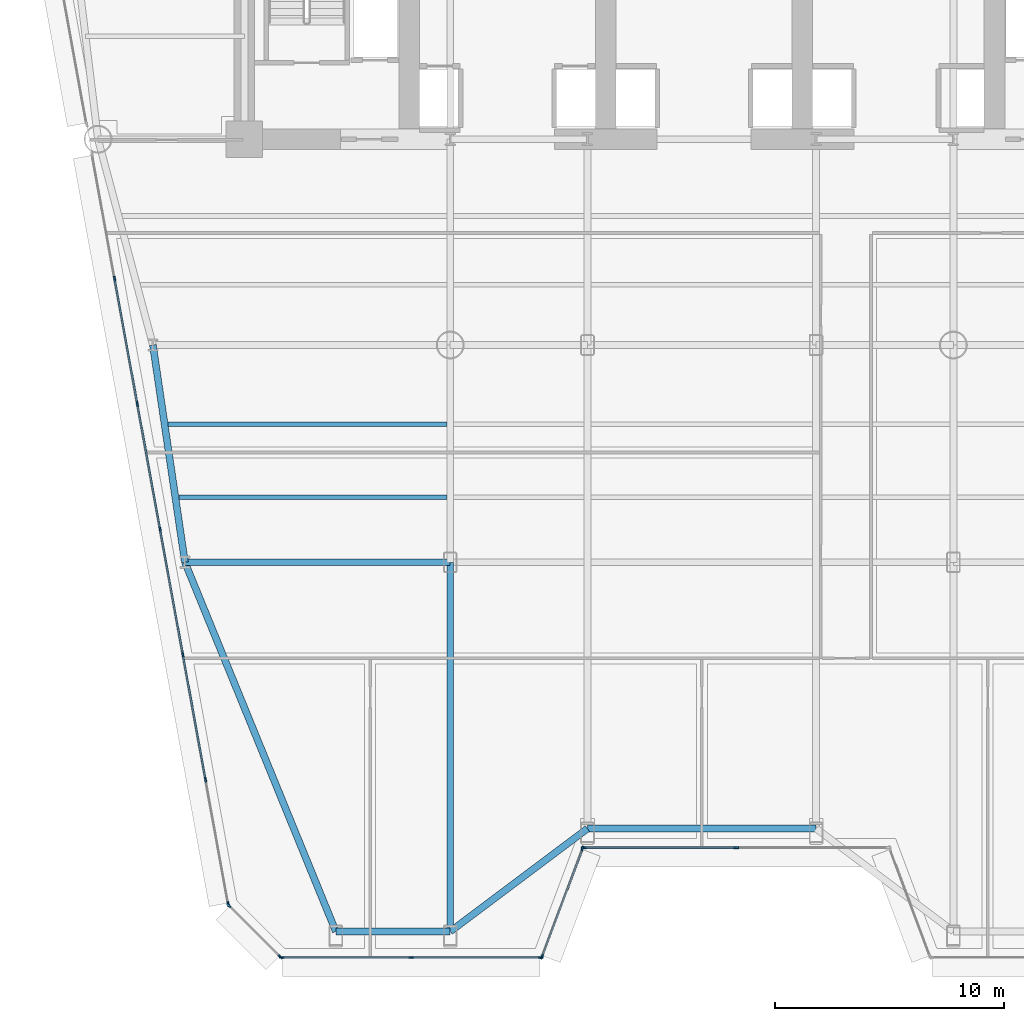
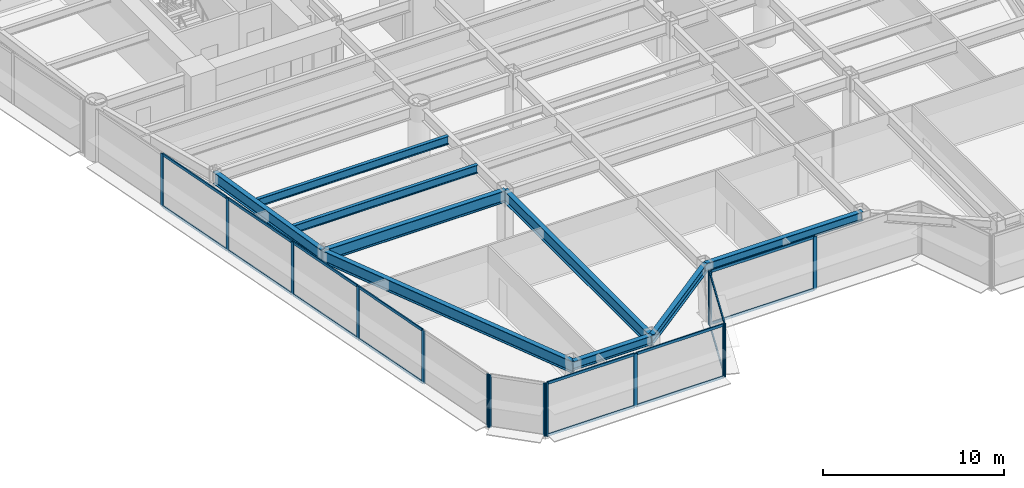
# One storey, part 2 of 14: 31 members, 9 beams, 5 elements without a shape of their own.
"""IFC4 building model written with IfcOpenShell, lengths in metres."""

from ifc_helpers import new_model, si_unit, direction, frame, origin, origin_2d, place, context, subcontext, project, spatial, rectangle, i_section, extrude, source, transform, mapped, material, layer, layer_set, material_profile, profile_set, type_object, element, aggregate, save


model = new_model("IFC4")

# Units and contexts
model_context = context("Model", 3, precision=1e-05, world=origin(), true_north=direction((0.0, 1.0)))
body_context = subcontext(model_context, "Body", "Model", "MODEL_VIEW")
ifc_project = project(units=[si_unit("LENGTHUNIT", "METRE"), si_unit("AREAUNIT", "SQUARE_METRE"), si_unit("VOLUMEUNIT", "CUBIC_METRE"), si_unit("PLANEANGLEUNIT", "RADIAN"), si_unit("MASSUNIT", "GRAM", prefix="KILO")], contexts=[model_context])

# Site, building, storey
site_placement = place(None, origin())
site = spatial("IfcSite", under=ifc_project, at=site_placement, CompositionType="ELEMENT")
building_placement = place(site_placement, origin())
building = spatial("IfcBuilding", under=site, at=building_placement, Name="Vaeldorn Concourse Tower", CompositionType="ELEMENT")
storey_placement = place(building_placement, frame((0.0, 0.0, 30.199951171875)))
storey = spatial("IfcBuildingStorey", under=building, at=storey_placement, Name="L07", CompositionType="ELEMENT", Elevation=30.199951171875)

# Beams
ifc_material_1 = material(Name="Steel S355", Category="steel")
ifc_material_profile_1 = material_profile(ifc_material_1, i_section(OverallWidth=0.300048828125, OverallDepth=0.60009765625, WebThickness=0.015380859375, FlangeThickness=0.030029296875, FilletRadius=0.027099609375, at=origin_2d()), Name="HEB 600")
ifc_profile_set_1 = profile_set([ifc_material_profile_1], Name="Steel S355")
beam_type_1 = type_object("IfcBeamType", Name="BM-SP-HEB600", PredefinedType="SPANDREL", material=ifc_profile_set_1)
shared_shape_1 = source(origin(), body_context, "Body", "SweptSolid", [
    extrude(i_section(OverallWidth=0.300048828125, OverallDepth=0.60009765625, WebThickness=0.015380859375, FlangeThickness=0.030029296875, FilletRadius=0.027099609375, at=origin_2d()), origin(), (0.0, 0.0, 1.0), 5.0),
])
beam_1_placement = place(storey_placement, frame((18.0, 1.856201171875, 3.280029296875), z_axis=(1.0, 0.0, 0.0), x_axis=(0.0, 1.0, 0.0)))
element("IfcBeam", 1, at=beam_1_placement, inside=storey, type_object=beam_type_1, Name="Beam BM-L07-C-SF1-C-SF2", PredefinedType="SPANDREL", context=body_context, shape_type="MappedRepresentation", body=[
    mapped(shared_shape_1, transform((0.0, 0.0, 0.0), scale=1.0)),
])
shared_shape_2 = source(origin(), body_context, "Body", "SweptSolid", [
    extrude(i_section(OverallWidth=0.300048828125, OverallDepth=0.60009765625, WebThickness=0.015380859375, FlangeThickness=0.030029296875, FilletRadius=0.027099609375, at=origin_2d()), origin(), (0.0, 0.0, 1.0), 7.5),
])
beam_2_placement = place(storey_placement, frame((23.0, 1.856201171875, 3.280029296875), z_axis=(0.8, 0.6, 0.0), x_axis=(-0.6, 0.8, 0.0)))
element("IfcBeam", 2, at=beam_2_placement, inside=storey, type_object=beam_type_1, Name="Beam BM-L07-C-SF2-C-SF3", PredefinedType="SPANDREL", context=body_context, shape_type="MappedRepresentation", body=[
    mapped(shared_shape_2, transform((0.0, 0.0, 0.0), scale=1.0)),
])
shared_shape_3 = source(origin(), body_context, "Body", "SweptSolid", [
    extrude(i_section(OverallWidth=0.300048828125, OverallDepth=0.60009765625, WebThickness=0.015380859375, FlangeThickness=0.030029296875, FilletRadius=0.027099609375, at=origin_2d()), origin(), (0.0, 0.0, 1.0), 10.0),
])
beam_3_placement = place(storey_placement, frame((29.0, 6.356201171875, 3.280029296875), z_axis=(1.0, 0.0, 0.0), x_axis=(0.0, 1.0, 0.0)))
element("IfcBeam", 3, at=beam_3_placement, inside=storey, type_object=beam_type_1, Name="Beam BM-L07-C-SF3-C-SF4", PredefinedType="SPANDREL", context=body_context, shape_type="MappedRepresentation", body=[
    mapped(shared_shape_3, transform((0.0, 0.0, 0.0), scale=1.0)),
])
ifc_material_profile_2 = material_profile(ifc_material_1, i_section(OverallWidth=0.300048828125, OverallDepth=0.800048828125, WebThickness=0.017578125, FlangeThickness=0.032958984375, FilletRadius=0.030029296875, at=origin_2d()), Name="HEB 800")
ifc_profile_set_2 = profile_set([ifc_material_profile_2], Name="Steel S355")
beam_type_2 = type_object("IfcBeamType", Name="BM-PG-HEB800", PredefinedType="BEAM", material=ifc_profile_set_2)
shared_shape_4 = source(origin(), body_context, "Body", "SweptSolid", [
    extrude(i_section(OverallWidth=0.300048828125, OverallDepth=0.800048828125, WebThickness=0.017578125, FlangeThickness=0.032958984375, FilletRadius=0.030029296875, at=origin_2d()), origin(), (0.0, 0.0, 1.0), 9.6025390625),
])
beam_4_placement = place(storey_placement, frame((10.0, 27.5, 3.179931640625), z_axis=(0.145783835977, -0.989316467652, 0.0), x_axis=(0.989316467652, 0.145783835977, 0.0)))
element("IfcBeam", 4, at=beam_4_placement, inside=storey, type_object=beam_type_2, Name="Beam BM-L07-C-FLW1-C-FLW2", PredefinedType="BEAM", context=body_context, shape_type="MappedRepresentation", body=[
    mapped(shared_shape_4, transform((0.0, 0.0, 0.0), scale=1.0)),
])
shared_shape_5 = source(origin(), body_context, "Body", "SweptSolid", [
    extrude(i_section(OverallWidth=0.300048828125, OverallDepth=0.800048828125, WebThickness=0.017578125, FlangeThickness=0.032958984375, FilletRadius=0.030029296875, at=origin_2d()), origin(), (0.0, 0.0, 1.0), 11.60009765625),
])
beam_5_placement = place(storey_placement, frame((11.39990234375, 18.0, 3.179931640625), z_axis=(1.0, 0.0, 0.0), x_axis=(0.0, 1.0, 0.0)))
element("IfcBeam", 5, at=beam_5_placement, inside=storey, type_object=beam_type_2, Name="Beam BM-L07-C-FLW2-C-TW5", PredefinedType="BEAM", context=body_context, shape_type="MappedRepresentation", body=[
    mapped(shared_shape_5, transform((0.0, 0.0, 0.0), scale=1.0)),
])
shared_shape_6 = source(origin(), body_context, "Body", "SweptSolid", [
    extrude(i_section(OverallWidth=0.300048828125, OverallDepth=0.800048828125, WebThickness=0.017578125, FlangeThickness=0.032958984375, FilletRadius=0.030029296875, at=origin_2d()), origin(), (0.0, 0.0, 1.0), 17.44091796875),
])
beam_6_placement = place(storey_placement, frame((18.0, 1.856201171875, 3.179931640625), z_axis=(-0.378427347763, 0.925630996923, 0.0), x_axis=(-0.925630996923, -0.378427347763, 0.0)))
element("IfcBeam", 6, at=beam_6_placement, inside=storey, type_object=beam_type_2, Name="Beam BM-L07-C-SF1-C-FLW2", PredefinedType="BEAM", context=body_context, shape_type="MappedRepresentation", body=[
    mapped(shared_shape_6, transform((0.0, 0.0, 0.0), scale=1.0)),
])
shared_shape_7 = source(origin(), body_context, "Body", "SweptSolid", [
    extrude(i_section(OverallWidth=0.300048828125, OverallDepth=0.800048828125, WebThickness=0.017578125, FlangeThickness=0.032958984375, FilletRadius=0.030029296875, at=origin_2d()), origin(), (0.0, 0.0, 1.0), 16.143798828125),
])
beam_7_placement = place(storey_placement, frame((23.0, 1.856201171875, 3.179931640625), z_axis=(0.0, 1.0, 0.0), x_axis=(-1.0, 0.0, 0.0)))
element("IfcBeam", 7, at=beam_7_placement, inside=storey, type_object=beam_type_2, Name="Beam BM-L07-C-SF2-C-TW5", PredefinedType="BEAM", context=body_context, shape_type="MappedRepresentation", body=[
    mapped(shared_shape_7, transform((0.0, 0.0, 0.0), scale=1.0)),
])
ifc_material_profile_3 = material_profile(ifc_material_1, i_section(OverallWidth=0.2099609375, OverallDepth=0.550048828125, WebThickness=0.010986328125, FlangeThickness=0.01708984375, FilletRadius=0.02392578125, at=origin_2d()), Name="IPE 550")
ifc_profile_set_3 = profile_set([ifc_material_profile_3], Name="Steel S355")
beam_type_3 = type_object("IfcBeamType", Name="BM-JS-IPE550", PredefinedType="JOIST", material=ifc_profile_set_3)
shared_shape_8 = source(origin(), body_context, "Body", "SweptSolid", [
    extrude(i_section(OverallWidth=0.2099609375, OverallDepth=0.550048828125, WebThickness=0.010986328125, FlangeThickness=0.01708984375, FilletRadius=0.02392578125, at=origin_2d()), origin(), (0.0, 0.0, 1.0), 11.718505859375),
])
beam_8_placement = place(storey_placement, frame((11.131591796875, 20.840087890625, 3.304931640625), z_axis=(1.0, 0.0, 0.0), x_axis=(0.0, 1.0, 0.0)))
element("IfcBeam", 8, at=beam_8_placement, inside=storey, type_object=beam_type_3, Name="Beam JS-L07-W1-208", PredefinedType="JOIST", context=body_context, shape_type="MappedRepresentation", body=[
    mapped(shared_shape_8, transform((0.0, 0.0, 0.0), scale=1.0)),
])
shared_shape_9 = source(origin(), body_context, "Body", "SweptSolid", [
    extrude(i_section(OverallWidth=0.2099609375, OverallDepth=0.550048828125, WebThickness=0.010986328125, FlangeThickness=0.01708984375, FilletRadius=0.02392578125, at=origin_2d()), origin(), (0.0, 0.0, 1.0), 12.190185546875),
])
beam_9_placement = place(storey_placement, frame((10.659912109375, 24.0400390625, 3.304931640625), z_axis=(1.0, 0.0, 0.0), x_axis=(0.0, 1.0, 0.0)))
element("IfcBeam", 9, at=beam_9_placement, inside=storey, type_object=beam_type_3, Name="Beam JS-L07-W1-240", PredefinedType="JOIST", context=body_context, shape_type="MappedRepresentation", body=[
    mapped(shared_shape_9, transform((0.0, 0.0, 0.0), scale=1.0)),
])

# Curtain wall, members
ifc_material_2 = material(Name="Anodised Bronze Aluminium", Category="aluminium")
ifc_layer = layer(ifc_material_2, 0.219970703125)
ifc_layer_set = layer_set([ifc_layer], Name="Anodised Bronze Aluminium")
curtain_wall_type = type_object("IfcCurtainWallType", Name="CW-SYS-01", PredefinedType="NOTDEFINED", material=ifc_layer_set)
curtain_wall_1_placement = place(storey_placement, origin())
curtain_wall_1 = element("IfcCurtainWall", 10, at=curtain_wall_1_placement, inside=storey, type_object=curtain_wall_type, Name="Unitised Curtain Wall CW-L07-E03-1", PredefinedType="NOTDEFINED")
ifc_material_profile_4 = material_profile(ifc_material_2, rectangle(XDim=0.074951171875, YDim=0.179931640625, at=origin_2d()), Name="CWT 75x180")
ifc_profile_set_4 = profile_set([ifc_material_profile_4], Name="Anodised Bronze Aluminium")
member_type_1 = type_object("IfcMemberType", Name="CWT-BRONZE-180", PredefinedType="USERDEFINED", material=ifc_profile_set_4)
shared_shape_10 = source(origin(), body_context, "Body", "SweptSolid", [
    extrude(rectangle(XDim=0.074951171875, YDim=0.179931640625, at=origin_2d()), origin(), (0.0, 0.0, 1.0), 6.58740234375),
])
member_1_placement = place(storey_placement, frame((28.875, 5.51708984375, 0.03759765625), z_axis=(1.0, 0.0, 0.0), x_axis=(0.0, 1.0, 0.0)))
member_1 = element("IfcMember", 11, at=member_1_placement, type_object=member_type_1, Name="CW-01 transom 1.1", ObjectType="TRANSOM", PredefinedType="USERDEFINED", context=body_context, shape_type="MappedRepresentation", body=[
    mapped(shared_shape_10, transform((0.0, 0.0, 0.0), scale=1.0)),
])
member_2_placement = place(storey_placement, frame((28.875, 5.51708984375, 3.54248046875), z_axis=(1.0, 0.0, 0.0), x_axis=(0.0, 1.0, 0.0)))
member_2 = element("IfcMember", 12, at=member_2_placement, type_object=member_type_1, Name="CW-01 transom 1.2", ObjectType="TRANSOM", PredefinedType="USERDEFINED", context=body_context, shape_type="MappedRepresentation", body=[
    mapped(shared_shape_10, transform((0.0, 0.0, 0.0), scale=1.0)),
])

curtain_wall_2_placement = place(storey_placement, origin())
curtain_wall_2 = element("IfcCurtainWall", 13, at=curtain_wall_2_placement, inside=storey, type_object=curtain_wall_type, Name="Unitised Curtain Wall CW-L07-E02-1", PredefinedType="NOTDEFINED")
shared_shape_11 = source(origin(), body_context, "Body", "SweptSolid", [
    extrude(rectangle(XDim=0.074951171875, YDim=0.179931640625, at=origin_2d()), origin(), (0.0, 0.0, 1.0), 4.9765625),
])
member_3_placement = place(storey_placement, frame((27.0263671875, 0.787353515625, 0.03759765625), z_axis=(0.351112688987, 0.936333209724, 0.0), x_axis=(-0.936333209724, 0.351112688987, 0.0)))
member_3 = element("IfcMember", 14, at=member_3_placement, type_object=member_type_1, Name="CW-01 transom 1.1", ObjectType="TRANSOM", PredefinedType="USERDEFINED", context=body_context, shape_type="MappedRepresentation", body=[
    mapped(shared_shape_11, transform((0.0, 0.0, 0.0), scale=1.0)),
])
member_4_placement = place(storey_placement, frame((27.0263671875, 0.787353515625, 3.54248046875), z_axis=(0.351112688987, 0.936333209724, 0.0), x_axis=(-0.936333209724, 0.351112688987, 0.0)))
member_4 = element("IfcMember", 15, at=member_4_placement, type_object=member_type_1, Name="CW-01 transom 1.2", ObjectType="TRANSOM", PredefinedType="USERDEFINED", context=body_context, shape_type="MappedRepresentation", body=[
    mapped(shared_shape_11, transform((0.0, 0.0, 0.0), scale=1.0)),
])

curtain_wall_3_placement = place(storey_placement, origin())
curtain_wall_3 = element("IfcCurtainWall", 16, at=curtain_wall_3_placement, inside=storey, type_object=curtain_wall_type, Name="Unitised Curtain Wall CW-L07-E01-1", PredefinedType="NOTDEFINED")
ifc_material_profile_5 = material_profile(ifc_material_2, rectangle(XDim=0.074951171875, YDim=0.219970703125, at=origin_2d()), Name="CWM 75x220")
ifc_profile_set_5 = profile_set([ifc_material_profile_5], Name="Anodised Bronze Aluminium")
member_type_2 = type_object("IfcMemberType", Name="CWM-BRONZE-220", PredefinedType="MULLION", material=ifc_profile_set_5)
shared_shape_12 = source(origin(), body_context, "Body", "SweptSolid", [
    extrude(rectangle(XDim=0.074951171875, YDim=0.219970703125, at=origin_2d()), origin(), (0.0, 0.0, 1.0), 3.580078125),
])
member_5_placement = place(storey_placement, frame((15.63427734375, 0.71728515625, 0.0), z_axis=(0.0, 0.0, 1.0), x_axis=(0.0, 1.0, 0.0)))
member_5 = element("IfcMember", 17, at=member_5_placement, type_object=member_type_2, Name="CW-01 mullion 1", PredefinedType="MULLION", context=body_context, shape_type="MappedRepresentation", body=[
    mapped(shared_shape_12, transform((0.0, 0.0, 0.0), scale=1.0)),
])
member_6_placement = place(storey_placement, frame((21.29833984375, 0.71728515625, 0.0), z_axis=(0.0, 0.0, 1.0), x_axis=(0.0, 1.0, 0.0)))
member_6 = element("IfcMember", 18, at=member_6_placement, type_object=member_type_2, Name="CW-01 mullion 2", PredefinedType="MULLION", context=body_context, shape_type="MappedRepresentation", body=[
    mapped(shared_shape_12, transform((0.0, 0.0, 0.0), scale=1.0)),
])
member_7_placement = place(storey_placement, frame((26.96240234375, 0.71728515625, 0.0), z_axis=(0.0, 0.0, 1.0), x_axis=(0.0, 1.0, 0.0)))
member_7 = element("IfcMember", 19, at=member_7_placement, type_object=member_type_2, Name="CW-01 mullion 3", PredefinedType="MULLION", context=body_context, shape_type="MappedRepresentation", body=[
    mapped(shared_shape_12, transform((0.0, 0.0, 0.0), scale=1.0)),
])

# Member
member_8_placement = place(storey_placement, frame((27.01318359375, 0.752197265625, 0.0), z_axis=(0.0, 0.0, 1.0), x_axis=(-0.936329177566, 0.351123441595, 0.0)))
member_8 = element("IfcMember", 20, at=member_8_placement, type_object=member_type_2, Name="CW-01 mullion 1", PredefinedType="MULLION", context=body_context, shape_type="MappedRepresentation", body=[
    mapped(shared_shape_12, transform((0.0, 0.0, 0.0), scale=1.0)),
])

member_9_placement = place(storey_placement, frame((28.786865234375, 5.482177734375, 0.0), z_axis=(0.0, 0.0, 1.0), x_axis=(-0.936329177566, 0.351123441595, 0.0)))
member_9 = element("IfcMember", 21, at=member_9_placement, type_object=member_type_2, Name="CW-01 mullion 2", PredefinedType="MULLION", context=body_context, shape_type="MappedRepresentation", body=[
    mapped(shared_shape_12, transform((0.0, 0.0, 0.0), scale=1.0)),
])

aggregate(curtain_wall_2, [member_8, member_9, member_3, member_4])

member_10_placement = place(storey_placement, frame((28.83740234375, 5.51708984375, 0.0), z_axis=(0.0, 0.0, 1.0), x_axis=(0.0, 1.0, 0.0)))
member_10 = element("IfcMember", 22, at=member_10_placement, type_object=member_type_2, Name="CW-01 mullion 1", PredefinedType="MULLION", context=body_context, shape_type="MappedRepresentation", body=[
    mapped(shared_shape_12, transform((0.0, 0.0, 0.0), scale=1.0)),
])

member_11_placement = place(storey_placement, frame((35.5, 5.51708984375, 0.0), z_axis=(0.0, 0.0, 1.0), x_axis=(0.0, 1.0, 0.0)))
member_11 = element("IfcMember", 23, at=member_11_placement, type_object=member_type_2, Name="CW-01 mullion 2", PredefinedType="MULLION", context=body_context, shape_type="MappedRepresentation", body=[
    mapped(shared_shape_12, transform((0.0, 0.0, 0.0), scale=1.0)),
])

aggregate(curtain_wall_1, [member_10, member_11, member_1, member_2])

# Curtain wall, members
curtain_wall_4_placement = place(storey_placement, origin())
curtain_wall_4 = element("IfcCurtainWall", 24, at=curtain_wall_4_placement, inside=storey, type_object=curtain_wall_type, Name="Unitised Curtain Wall CW-L07-E11-2", PredefinedType="NOTDEFINED")
member_12_placement = place(storey_placement, frame((8.322998046875, 30.4033203125, 0.0), z_axis=(0.0, 0.0, 1.0), x_axis=(0.98390490828, 0.178692841107, 0.0)))
member_12 = element("IfcMember", 25, at=member_12_placement, type_object=member_type_2, Name="CW-01 mullion 2", PredefinedType="MULLION", context=body_context, shape_type="MappedRepresentation", body=[
    mapped(shared_shape_12, transform((0.0, 0.0, 0.0), scale=1.0)),
])
member_13_placement = place(storey_placement, frame((9.317626953125, 24.926025390625, 0.0), z_axis=(0.0, 0.0, 1.0), x_axis=(0.98390490828, 0.178692841107, 0.0)))
member_13 = element("IfcMember", 26, at=member_13_placement, type_object=member_type_2, Name="CW-01 mullion 3", PredefinedType="MULLION", context=body_context, shape_type="MappedRepresentation", body=[
    mapped(shared_shape_12, transform((0.0, 0.0, 0.0), scale=1.0)),
])
member_14_placement = place(storey_placement, frame((10.3125, 19.44873046875, 0.0), z_axis=(0.0, 0.0, 1.0), x_axis=(0.98390490828, 0.178692841107, 0.0)))
member_14 = element("IfcMember", 27, at=member_14_placement, type_object=member_type_2, Name="CW-01 mullion 4", PredefinedType="MULLION", context=body_context, shape_type="MappedRepresentation", body=[
    mapped(shared_shape_12, transform((0.0, 0.0, 0.0), scale=1.0)),
])
member_15_placement = place(storey_placement, frame((11.30712890625, 13.9716796875, 0.0), z_axis=(0.0, 0.0, 1.0), x_axis=(0.98390490828, 0.178692841107, 0.0)))
member_15 = element("IfcMember", 28, at=member_15_placement, type_object=member_type_2, Name="CW-01 mullion 5", PredefinedType="MULLION", context=body_context, shape_type="MappedRepresentation", body=[
    mapped(shared_shape_12, transform((0.0, 0.0, 0.0), scale=1.0)),
])
member_16_placement = place(storey_placement, frame((12.302001953125, 8.494384765625, 0.0), z_axis=(0.0, 0.0, 1.0), x_axis=(0.98390490828, 0.178692841107, 0.0)))
member_16 = element("IfcMember", 29, at=member_16_placement, type_object=member_type_2, Name="CW-01 mullion 6", PredefinedType="MULLION", context=body_context, shape_type="MappedRepresentation", body=[
    mapped(shared_shape_12, transform((0.0, 0.0, 0.0), scale=1.0)),
])
member_17_placement = place(storey_placement, frame((13.2900390625, 3.05419921875, 0.0), z_axis=(0.0, 0.0, 1.0), x_axis=(0.98390490828, 0.178692841107, 0.0)))
member_17 = element("IfcMember", 30, at=member_17_placement, type_object=member_type_2, Name="CW-01 mullion 7", PredefinedType="MULLION", context=body_context, shape_type="MappedRepresentation", body=[
    mapped(shared_shape_12, transform((0.0, 0.0, 0.0), scale=1.0)),
])

curtain_wall_5_placement = place(storey_placement, origin())
curtain_wall_5 = element("IfcCurtainWall", 31, at=curtain_wall_5_placement, inside=storey, type_object=curtain_wall_type, Name="Unitised Curtain Wall CW-L07-E12-1", PredefinedType="NOTDEFINED")
member_18_placement = place(storey_placement, frame((13.3232421875, 2.99072265625, 0.0), z_axis=(0.0, 0.0, 1.0), x_axis=(0.707106781187, 0.707106781187, 0.0)))
member_18 = element("IfcMember", 32, at=member_18_placement, type_object=member_type_2, Name="CW-01 mullion 1", PredefinedType="MULLION", context=body_context, shape_type="MappedRepresentation", body=[
    mapped(shared_shape_12, transform((0.0, 0.0, 0.0), scale=1.0)),
])
member_19_placement = place(storey_placement, frame((15.570068359375, 0.74365234375, 0.0), z_axis=(0.0, 0.0, 1.0), x_axis=(0.707106781187, 0.707106781187, 0.0)))
member_19 = element("IfcMember", 33, at=member_19_placement, type_object=member_type_2, Name="CW-01 mullion 2", PredefinedType="MULLION", context=body_context, shape_type="MappedRepresentation", body=[
    mapped(shared_shape_12, transform((0.0, 0.0, 0.0), scale=1.0)),
])
aggregate(curtain_wall_5, [member_18, member_19])

# Member
shared_shape_13 = source(origin(), body_context, "Body", "SweptSolid", [
    extrude(rectangle(XDim=0.074951171875, YDim=0.179931640625, at=origin_2d()), origin(), (0.0, 0.0, 1.0), 5.589111328125),
])
member_20_placement = place(storey_placement, frame((15.671630859375, 0.71728515625, 0.03759765625), z_axis=(1.0, 0.0, 0.0), x_axis=(0.0, 1.0, 0.0)))
member_20 = element("IfcMember", 34, at=member_20_placement, type_object=member_type_1, Name="CW-01 transom 1.1", ObjectType="TRANSOM", PredefinedType="USERDEFINED", context=body_context, shape_type="MappedRepresentation", body=[
    mapped(shared_shape_13, transform((0.0, 0.0, 0.0), scale=1.0)),
])

member_21_placement = place(storey_placement, frame((15.671630859375, 0.71728515625, 3.54248046875), z_axis=(1.0, 0.0, 0.0), x_axis=(0.0, 1.0, 0.0)))
member_21 = element("IfcMember", 35, at=member_21_placement, type_object=member_type_1, Name="CW-01 transom 1.2", ObjectType="TRANSOM", PredefinedType="USERDEFINED", context=body_context, shape_type="MappedRepresentation", body=[
    mapped(shared_shape_13, transform((0.0, 0.0, 0.0), scale=1.0)),
])

member_22_placement = place(storey_placement, frame((21.3359375, 0.71728515625, 0.03759765625), z_axis=(1.0, 0.0, 0.0), x_axis=(0.0, 1.0, 0.0)))
member_22 = element("IfcMember", 36, at=member_22_placement, type_object=member_type_1, Name="CW-01 transom 2.1", ObjectType="TRANSOM", PredefinedType="USERDEFINED", context=body_context, shape_type="MappedRepresentation", body=[
    mapped(shared_shape_13, transform((0.0, 0.0, 0.0), scale=1.0)),
])

member_23_placement = place(storey_placement, frame((21.3359375, 0.71728515625, 3.54248046875), z_axis=(1.0, 0.0, 0.0), x_axis=(0.0, 1.0, 0.0)))
member_23 = element("IfcMember", 37, at=member_23_placement, type_object=member_type_1, Name="CW-01 transom 2.2", ObjectType="TRANSOM", PredefinedType="USERDEFINED", context=body_context, shape_type="MappedRepresentation", body=[
    mapped(shared_shape_13, transform((0.0, 0.0, 0.0), scale=1.0)),
])

aggregate(curtain_wall_3, [member_5, member_6, member_7, member_20, member_21, member_22, member_23])

shared_shape_14 = source(origin(), body_context, "Body", "SweptSolid", [
    extrude(rectangle(XDim=0.074951171875, YDim=0.179931640625, at=origin_2d()), origin(), (0.0, 0.0, 1.0), 5.491943359375),
])
member_24_placement = place(storey_placement, frame((8.32958984375, 30.366455078125, 0.03759765625), z_axis=(0.178705485008, -0.983902611862, 0.0), x_axis=(0.983902611862, 0.178705485008, 0.0)))
member_24 = element("IfcMember", 38, at=member_24_placement, type_object=member_type_1, Name="CW-01 transom 2.1", ObjectType="TRANSOM", PredefinedType="USERDEFINED", context=body_context, shape_type="MappedRepresentation", body=[
    mapped(shared_shape_14, transform((0.0, 0.0, 0.0), scale=1.0)),
])

member_25_placement = place(storey_placement, frame((8.32958984375, 30.366455078125, 3.54248046875), z_axis=(0.178705485008, -0.983902611862, 0.0), x_axis=(0.983902611862, 0.178705485008, 0.0)))
member_25 = element("IfcMember", 39, at=member_25_placement, type_object=member_type_1, Name="CW-01 transom 2.2", ObjectType="TRANSOM", PredefinedType="USERDEFINED", context=body_context, shape_type="MappedRepresentation", body=[
    mapped(shared_shape_14, transform((0.0, 0.0, 0.0), scale=1.0)),
])

member_26_placement = place(storey_placement, frame((11.31396484375, 13.934814453125, 0.03759765625), z_axis=(0.178662450065, -0.983910427293, 0.0), x_axis=(0.983910427293, 0.178662450065, 0.0)))
member_26 = element("IfcMember", 40, at=member_26_placement, type_object=member_type_1, Name="CW-01 transom 5.1", ObjectType="TRANSOM", PredefinedType="USERDEFINED", context=body_context, shape_type="MappedRepresentation", body=[
    mapped(shared_shape_14, transform((0.0, 0.0, 0.0), scale=1.0)),
])

member_27_placement = place(storey_placement, frame((11.31396484375, 13.934814453125, 3.54248046875), z_axis=(0.178662450065, -0.983910427293, 0.0), x_axis=(0.983910427293, 0.178662450065, 0.0)))
member_27 = element("IfcMember", 41, at=member_27_placement, type_object=member_type_1, Name="CW-01 transom 5.2", ObjectType="TRANSOM", PredefinedType="USERDEFINED", context=body_context, shape_type="MappedRepresentation", body=[
    mapped(shared_shape_14, transform((0.0, 0.0, 0.0), scale=1.0)),
])

shared_shape_15 = source(origin(), body_context, "Body", "SweptSolid", [
    extrude(rectangle(XDim=0.074951171875, YDim=0.179931640625, at=origin_2d()), origin(), (0.0, 0.0, 1.0), 5.49169921875),
])
member_28_placement = place(storey_placement, frame((9.324462890625, 24.88916015625, 0.03759765625), z_axis=(0.178670264954, -0.983909008202, 0.0), x_axis=(0.983909008202, 0.178670264954, 0.0)))
member_28 = element("IfcMember", 42, at=member_28_placement, type_object=member_type_1, Name="CW-01 transom 3.1", ObjectType="TRANSOM", PredefinedType="USERDEFINED", context=body_context, shape_type="MappedRepresentation", body=[
    mapped(shared_shape_15, transform((0.0, 0.0, 0.0), scale=1.0)),
])

member_29_placement = place(storey_placement, frame((9.324462890625, 24.88916015625, 3.54248046875), z_axis=(0.178670264954, -0.983909008202, 0.0), x_axis=(0.983909008202, 0.178670264954, 0.0)))
member_29 = element("IfcMember", 43, at=member_29_placement, type_object=member_type_1, Name="CW-01 transom 3.2", ObjectType="TRANSOM", PredefinedType="USERDEFINED", context=body_context, shape_type="MappedRepresentation", body=[
    mapped(shared_shape_15, transform((0.0, 0.0, 0.0), scale=1.0)),
])

member_30_placement = place(storey_placement, frame((10.319091796875, 19.411865234375, 0.03759765625), z_axis=(0.178713301655, -0.983901192098, 0.0), x_axis=(0.983901192098, 0.178713301655, 0.0)))
member_30 = element("IfcMember", 44, at=member_30_placement, type_object=member_type_1, Name="CW-01 transom 4.1", ObjectType="TRANSOM", PredefinedType="USERDEFINED", context=body_context, shape_type="MappedRepresentation", body=[
    mapped(shared_shape_15, transform((0.0, 0.0, 0.0), scale=1.0)),
])

member_31_placement = place(storey_placement, frame((10.319091796875, 19.411865234375, 3.54248046875), z_axis=(0.178713301655, -0.983901192098, 0.0), x_axis=(0.983901192098, 0.178713301655, 0.0)))
member_31 = element("IfcMember", 45, at=member_31_placement, type_object=member_type_1, Name="CW-01 transom 4.2", ObjectType="TRANSOM", PredefinedType="USERDEFINED", context=body_context, shape_type="MappedRepresentation", body=[
    mapped(shared_shape_15, transform((0.0, 0.0, 0.0), scale=1.0)),
])

aggregate(curtain_wall_4, [member_12, member_13, member_14, member_15, member_16, member_17, member_24, member_25, member_28, member_29, member_30, member_31, member_26, member_27])

save(model, "model.ifc")
